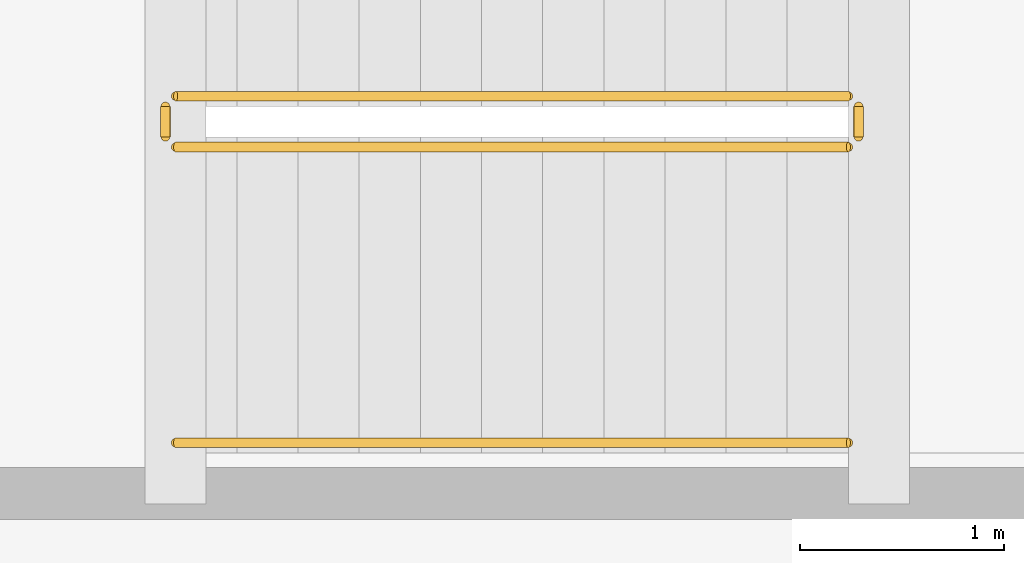
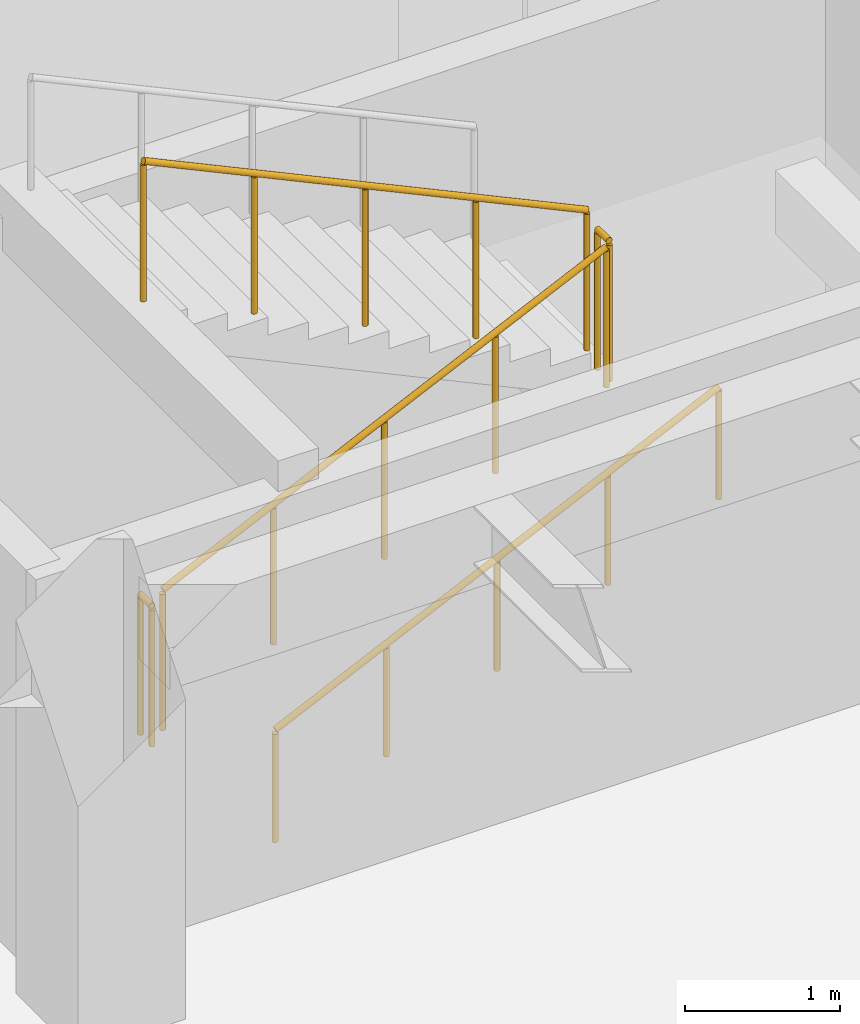
# One storey, part 115 of 123: 5 railings.
"""IFC4 building model written with IfcOpenShell, lengths in metres."""

import ifcopenshell
import ifcopenshell.guid

model = None  # the IFC model being written
_history = None  # IfcOwnerHistory: only IFC2X3 demands one
_inside = {}  # id of a spatial element -> (the spatial element, [elements in it])
_under = {}  # id of a project, library or spatial element -> (it, [spatial elements below it])
_declared = {}  # id of a project -> (the project, [libraries it declares])
_typed = {}  # id of a type object -> (the type object, [elements of that type])
_made_of = {}  # id of a material, layer set ... -> (it, [elements and type objects made of it])


def new_model(schema):
    """Start an empty IFC model of exactly this schema.

    Asked for "IFC4X3", IfcOpenShell would pick the latest addendum, in which some entities
    have other attributes; the version numbers below select the first issue.
    IFC2X3 requires an IfcOwnerHistory on every rooted entity: one is made here for all.
    """
    global model, _history
    if schema == "IFC4X3":
        model = ifcopenshell.file(schema_version=(4, 3, 0, 0))
    else:
        model = ifcopenshell.file(schema=schema)
    _inside.clear()
    _under.clear()
    _declared.clear()
    _typed.clear()
    _made_of.clear()
    _history = None
    if model.schema == "IFC2X3":
        org = make("IfcOrganization", Name="unknown")
        user = make(
            "IfcPersonAndOrganization",
            ThePerson=make("IfcPerson", FamilyName="unknown"),
            TheOrganization=org,
        )
        app = make(
            "IfcApplication",
            ApplicationDeveloper=org,
            Version="unknown",
            ApplicationFullName="unknown",
            ApplicationIdentifier="unknown",
        )
        _history = make(
            "IfcOwnerHistory",
            OwningUser=user,
            OwningApplication=app,
            ChangeAction="ADDED",
            CreationDate=0,
        )
    return model


def make(cls, **values):
    """One entity of the class cls with the attributes given. An attribute that is None is left unset."""
    return model.create_entity(
        cls, **{name: value for name, value in values.items() if value is not None}
    )


def rooted(cls, **values):
    """An entity with a GlobalId (a new one), such as an element, a storey or a relation."""
    return make(cls, GlobalId=ifcopenshell.guid.new(), OwnerHistory=_history, **values)


def si_unit(unit_type, name, prefix=None):
    """IfcSIUnit, for example si_unit("LENGTHUNIT", "METRE", prefix="MILLI")."""
    return make("IfcSIUnit", UnitType=unit_type, Prefix=prefix, Name=name)


def assignment(units):
    """IfcUnitAssignment: the units of a project."""
    return None if units is None else make("IfcUnitAssignment", Units=units)


def point(xyz):
    """IfcCartesianPoint."""
    return None if xyz is None else make("IfcCartesianPoint", Coordinates=xyz)


def direction(xyz):
    """IfcDirection."""
    return None if xyz is None else make("IfcDirection", DirectionRatios=xyz)


def frame(location, z_axis=None, x_axis=None):
    """IfcAxis2Placement3D, a coordinate frame: its origin and axes. An axis left out is left unset."""
    return make(
        "IfcAxis2Placement3D",
        Location=point(location),
        Axis=direction(z_axis),
        RefDirection=direction(x_axis),
    )


def frame_2d(location, x_axis=None):
    """IfcAxis2Placement2D, a coordinate frame in the plane: its origin and x axis."""
    return make(
        "IfcAxis2Placement2D", Location=point(location), RefDirection=direction(x_axis)
    )


def origin():
    """The frame at (0, 0, 0) with its axes left unset."""
    return frame((0.0, 0.0, 0.0))


def origin_2d():
    """The frame at (0, 0) in the plane with its x axis left unset."""
    return frame_2d((0.0, 0.0))


def place(relative_to, where):
    """IfcLocalPlacement: puts the frame where relative to a parent placement (None: the world)."""
    return make(
        "IfcLocalPlacement", PlacementRelTo=relative_to, RelativePlacement=where
    )


def context(
    kind, dimensions, precision=None, world=None, true_north=None, identifier=None
):
    """IfcGeometricRepresentationContext, for example the 3D "Model" context."""
    return make(
        "IfcGeometricRepresentationContext",
        ContextIdentifier=identifier,
        ContextType=kind,
        CoordinateSpaceDimension=dimensions,
        Precision=precision,
        WorldCoordinateSystem=world,
        TrueNorth=true_north,
    )


def subcontext(parent, identifier, kind, view, scale=None):
    """IfcGeometricRepresentationSubContext, for example "Body" below "Model"."""
    return make(
        "IfcGeometricRepresentationSubContext",
        ContextIdentifier=identifier,
        ContextType=kind,
        ParentContext=parent,
        TargetScale=scale,
        TargetView=view,
    )


def project(units=None, contexts=None):
    """IfcProject with its units and contexts."""
    return rooted(
        "IfcProject",
        Name="project",
        RepresentationContexts=contexts,
        UnitsInContext=assignment(units),
    )


def spatial(cls, under=None, at=None, **own):
    """A site, building, storey or space (cls), placed at a placement, below another one or the project."""
    s = rooted(cls, ObjectPlacement=at, **own)
    if under is not None:
        _under.setdefault(under.id(), (under, []))[1].append(s)
    return s


def profile(cls, at=None, kind="AREA", **sizes):
    """A parametric profile (cls). Its sizes go by their IFC names, for example OverallWidth=200.0."""
    return make(cls, ProfileType=kind, Position=at, **sizes)


def circle(**sizes):
    """IfcCircleProfileDef."""
    return profile("IfcCircleProfileDef", **sizes)


def extrude(swept, where, along, depth):
    """IfcExtrudedAreaSolid: the profile swept, set in the frame where, extruded along a direction by depth."""
    return make(
        "IfcExtrudedAreaSolid",
        SweptArea=swept,
        Position=where,
        ExtrudedDirection=direction(along),
        Depth=depth,
    )


def shape(context_of_items, identifier, shape_type, items):
    """IfcShapeRepresentation: the items that make up one representation, for example the "Body"."""
    return make(
        "IfcShapeRepresentation",
        ContextOfItems=context_of_items,
        RepresentationIdentifier=identifier,
        RepresentationType=shape_type,
        Items=items,
    )


def material(Name=None, Category=None):
    """IfcMaterial."""
    return make("IfcMaterial", Name=Name, Category=Category)


def made_of(thing, what):
    """Note that an element or type object is made of a material, layer set ...; save() writes the relation."""
    if what is not None:
        _made_of.setdefault(what.id(), (what, []))[1].append(thing)
    return thing


def type_object(cls, material=None, **own):
    """A type object (cls), such as IfcWallType, which elements share."""
    return made_of(rooted(cls, **own), material)


def element(
    cls,
    number,
    at=None,
    inside=None,
    cuts=None,
    type_object=None,
    material=None,
    context=None,
    identifier="Body",
    shape_type=None,
    held_by="IfcProductDefinitionShape",
    body=None,
    shapes=None,
    **own,
):
    """One element of the class cls, such as IfcWall. Its Tag is "e" and its number.

    at: its placement. inside: the storey or other place that contains it. cuts: it is an
    opening in that element (IfcRelVoidsElement). A single representation is given by context,
    identifier, shape_type and body (its items); several are given by shapes. held_by: the class
    of the entity that holds the representations. save() writes the other relations.
    """
    e = rooted(cls, Tag="e%d" % number, ObjectPlacement=at, **own)
    if body is not None:
        shapes = [shape(context, identifier, shape_type, body)]
    if shapes is not None:
        e.Representation = make(held_by, Representations=shapes)
    if inside is not None:
        _inside.setdefault(inside.id(), (inside, []))[1].append(e)
    if cuts is not None:
        rooted(
            "IfcRelVoidsElement", RelatingBuildingElement=cuts, RelatedOpeningElement=e
        )
    if type_object is not None:
        _typed.setdefault(type_object.id(), (type_object, []))[1].append(e)
    return made_of(e, material)


def aggregate(whole, parts):
    """IfcRelAggregates: a whole, such as a stair, and the parts it consists of."""
    return rooted("IfcRelAggregates", RelatingObject=whole, RelatedObjects=parts)


def save(model, path):
    """Write the relations noted so far, then the file.

    IfcRelAggregates (storeys below a building ...), IfcRelContainedInSpatialStructure (elements
    in a storey), IfcRelDefinesByType, IfcRelAssociatesMaterial and IfcRelDeclares: one each for
    every whole, place, type object, material and project.
    """
    for whole, parts in _under.values():
        aggregate(whole, parts)
    for where, things in _inside.values():
        rooted(
            "IfcRelContainedInSpatialStructure",
            RelatedElements=things,
            RelatingStructure=where,
        )
    for kind, things in _typed.values():
        rooted("IfcRelDefinesByType", RelatedObjects=things, RelatingType=kind)
    for what, things in _made_of.values():
        rooted("IfcRelAssociatesMaterial", RelatedObjects=things, RelatingMaterial=what)
    for by, libraries in _declared.values():
        rooted("IfcRelDeclares", RelatingContext=by, RelatedDefinitions=libraries)
    model.write(path)


model = new_model("IFC4")

# Units and contexts
model_context = context("Model", 3, precision=1e-05, world=origin(), true_north=direction((0.0, 1.0)))
body_context = subcontext(model_context, "Body", "Model", "MODEL_VIEW")
ifc_project = project(units=[si_unit("LENGTHUNIT", "METRE"), si_unit("AREAUNIT", "SQUARE_METRE"), si_unit("VOLUMEUNIT", "CUBIC_METRE"), si_unit("PLANEANGLEUNIT", "RADIAN"), si_unit("MASSUNIT", "GRAM", prefix="KILO")], contexts=[model_context])

# Site, building, storey
site_placement = place(None, origin())
site = spatial("IfcSite", under=ifc_project, at=site_placement, CompositionType="ELEMENT")
building_placement = place(site_placement, origin())
building = spatial("IfcBuilding", under=site, at=building_placement, Name="Cumbredor Promenade Congress Hotel", CompositionType="ELEMENT")
storey_placement = place(building_placement, frame((0.0, 0.0, 11.760009765625)))
storey = spatial("IfcBuildingStorey", under=building, at=storey_placement, Name="L03", CompositionType="ELEMENT", Elevation=11.760009765625)

# Railings
ifc_material = material(Name="Brushed stainless steel", Category="steel")
railing_type_1 = type_object("IfcRailingType", Name="Interior Void & Stair Guardrail GR-1100", PredefinedType="GUARDRAIL", material=ifc_material)
railing_1_placement = place(storey_placement, frame((43.800048828125, 103.1201171875, 0.139892578125)))
element("IfcRailing", 1, at=railing_1_placement, inside=storey, type_object=railing_type_1, Name="L03 ST-03 stair guard 1", PredefinedType="GUARDRAIL", context=body_context, shape_type="SweptSolid", body=[
    extrude(circle(Radius=0.02392578125, at=origin_2d()), frame((0.0, 0.0, 1.09619140625), z_axis=(0.906181427284, 0.0, 0.422889135408), x_axis=(0.0, 1.0, 0.0)), (0.0, 0.0, 1.0), 3.6416015625),
    extrude(circle(Radius=0.02099609375, at=origin_2d()), origin(), (0.0, 0.0, 1.0), 1.072021484375),
    extrude(circle(Radius=0.02099609375, at=origin_2d()), frame((0.824951171875, 0.0, 0.385009765625)), (0.0, 0.0, 1.0), 1.072021484375),
    extrude(circle(Radius=0.02099609375, at=origin_2d()), frame((1.64990234375, 0.0, 0.77001953125)), (0.0, 0.0, 1.0), 1.072021484375),
    extrude(circle(Radius=0.02099609375, at=origin_2d()), frame((2.47509765625, 0.0, 1.155029296875)), (0.0, 0.0, 1.0), 1.072021484375),
    extrude(circle(Radius=0.02099609375, at=origin_2d()), frame((3.300048828125, 0.0, 1.5400390625)), (0.0, 0.0, 1.0), 1.072021484375),
])
railing_2_placement = place(storey_placement, frame((47.14990234375, 103.169921875, 1.679931640625)))
element("IfcRailing", 2, at=railing_2_placement, inside=storey, type_object=railing_type_1, Name="L03 ST-03 stair guard 2", PredefinedType="GUARDRAIL", context=body_context, shape_type="SweptSolid", body=[
    extrude(circle(Radius=0.02392578125, at=origin_2d()), frame((0.0, 0.0, 1.09619140625), z_axis=(0.0, 1.0, 0.0), x_axis=(-1.0, 0.0, 0.0)), (0.0, 0.0, 1.0), 0.150146484375),
    extrude(circle(Radius=0.02099609375, at=origin_2d()), origin(), (0.0, 0.0, 1.0), 1.072021484375),
    extrude(circle(Radius=0.02099609375, at=origin_2d()), frame((0.0, 0.150146484375, 0.0)), (0.0, 0.0, 1.0), 1.072021484375),
])
railing_3_placement = place(storey_placement, frame((47.10009765625, 103.3701171875, 1.820068359375)))
element("IfcRailing", 3, at=railing_3_placement, inside=storey, type_object=railing_type_1, Name="L03 ST-03 stair guard 3", PredefinedType="GUARDRAIL", context=body_context, shape_type="SweptSolid", body=[
    extrude(circle(Radius=0.02392578125, at=origin_2d()), frame((0.0, 0.0, 1.09619140625), z_axis=(-0.906181427284, 0.0, 0.422889135408), x_axis=(0.0, -1.0, 0.0)), (0.0, 0.0, 1.0), 3.6416015625),
    extrude(circle(Radius=0.02099609375, at=origin_2d()), origin(), (0.0, 0.0, 1.0), 1.072021484375),
    extrude(circle(Radius=0.02099609375, at=origin_2d()), frame((-0.824951171875, 0.0, 0.385009765625)), (0.0, 0.0, 1.0), 1.072021484375),
    extrude(circle(Radius=0.02099609375, at=origin_2d()), frame((-1.64990234375, 0.0, 0.77001953125)), (0.0, 0.0, 1.0), 1.072021484375),
    extrude(circle(Radius=0.02099609375, at=origin_2d()), frame((-2.47509765625, 0.0, 1.155029296875)), (0.0, 0.0, 1.0), 1.072021484375),
    extrude(circle(Radius=0.02099609375, at=origin_2d()), frame((-3.300048828125, 0.0, 1.5400390625)), (0.0, 0.0, 1.0), 1.072021484375),
])
railing_4_placement = place(storey_placement, frame((43.75, 103.169921875, 0.0)))
element("IfcRailing", 4, at=railing_4_placement, inside=storey, type_object=railing_type_1, Name="L03 ST-03 stair guard 4", PredefinedType="GUARDRAIL", context=body_context, shape_type="SweptSolid", body=[
    extrude(circle(Radius=0.02392578125, at=origin_2d()), frame((0.0, 0.0, 1.09619140625), z_axis=(0.0, 1.0, 0.0), x_axis=(-1.0, 0.0, 0.0)), (0.0, 0.0, 1.0), 0.150146484375),
    extrude(circle(Radius=0.02099609375, at=origin_2d()), origin(), (0.0, 0.0, 1.0), 1.072021484375),
    extrude(circle(Radius=0.02099609375, at=origin_2d()), frame((0.0, 0.150146484375, 0.0)), (0.0, 0.0, 1.0), 1.072021484375),
])
railing_type_2 = type_object("IfcRailingType", Name="Stair Pitch Handrail HR-900", PredefinedType="HANDRAIL", material=ifc_material)
railing_5_placement = place(storey_placement, frame((43.800048828125, 101.669921875, 0.139892578125)))
element("IfcRailing", 5, at=railing_5_placement, inside=storey, type_object=railing_type_2, Name="L03 ST-03 stair handrail 1", PredefinedType="HANDRAIL", context=body_context, shape_type="SweptSolid", body=[
    extrude(circle(Radius=0.02392578125, at=origin_2d()), frame((0.0, 0.0, 0.8759765625), z_axis=(0.906181427284, 0.0, 0.422889135408), x_axis=(0.0, 1.0, 0.0)), (0.0, 0.0, 1.0), 3.6416015625),
    extrude(circle(Radius=0.02099609375, at=origin_2d()), origin(), (0.0, 0.0, 1.0), 0.851806640625),
    extrude(circle(Radius=0.02099609375, at=origin_2d()), frame((0.824951171875, 0.0, 0.385009765625)), (0.0, 0.0, 1.0), 0.851806640625),
    extrude(circle(Radius=0.02099609375, at=origin_2d()), frame((1.64990234375, 0.0, 0.77001953125)), (0.0, 0.0, 1.0), 0.851806640625),
    extrude(circle(Radius=0.02099609375, at=origin_2d()), frame((2.47509765625, 0.0, 1.155029296875)), (0.0, 0.0, 1.0), 0.851806640625),
    extrude(circle(Radius=0.02099609375, at=origin_2d()), frame((3.300048828125, 0.0, 1.5400390625)), (0.0, 0.0, 1.0), 0.851806640625),
])

save(model, "model.ifc")
